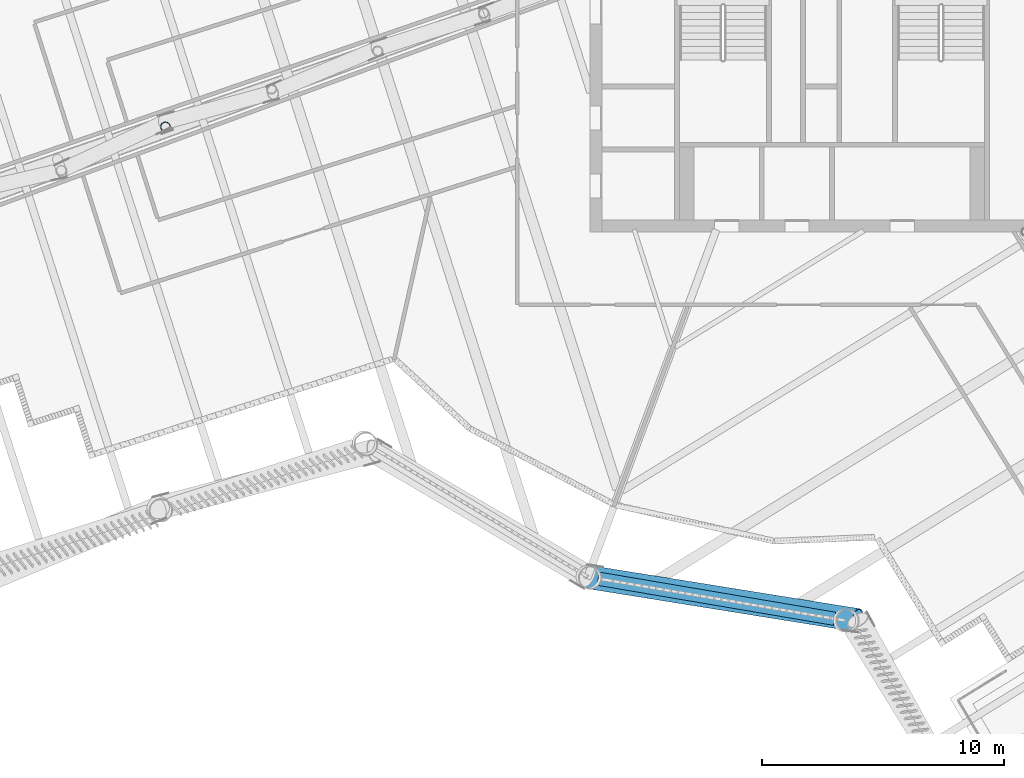
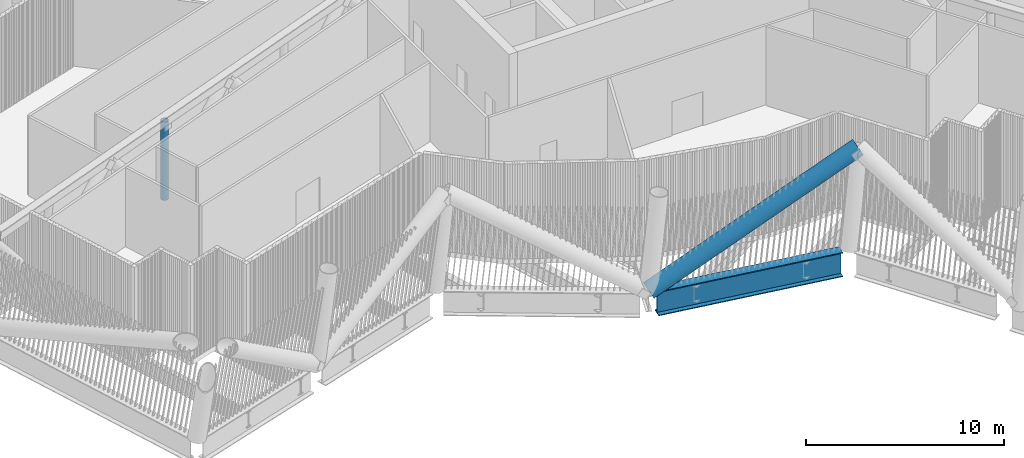
# One storey, part 2 of 40: 2 members, 1 beam.
"""IFC4 building model written with IfcOpenShell, lengths in metres."""

from ifc_helpers import new_model, si_unit, direction, frame, origin, origin_2d, place, context, subcontext, project, spatial, hollow_circle, i_section, extrude, material, material_profile, profile_set, type_object, element, save


model = new_model("IFC4")

# Units and contexts
model_context = context("Model", 3, precision=1e-05, world=origin(), true_north=direction((0.0, 1.0)))
body_context = subcontext(model_context, "Body", "Model", "MODEL_VIEW")
ifc_project = project(units=[si_unit("LENGTHUNIT", "METRE"), si_unit("AREAUNIT", "SQUARE_METRE"), si_unit("VOLUMEUNIT", "CUBIC_METRE"), si_unit("PLANEANGLEUNIT", "RADIAN"), si_unit("MASSUNIT", "GRAM", prefix="KILO")], contexts=[model_context])

# Site, building, storey
site_placement = place(None, origin())
site = spatial("IfcSite", under=ifc_project, at=site_placement, CompositionType="ELEMENT")
building_placement = place(site_placement, origin())
building = spatial("IfcBuilding", under=site, at=building_placement, Name="Tarsis Ring Headquarters", CompositionType="ELEMENT")
storey_placement = place(building_placement, frame((0.0, 0.0, 354.800048828125)))
storey = spatial("IfcBuildingStorey", under=building, at=storey_placement, Name="L84", CompositionType="ELEMENT", Elevation=354.800048828125)

# Members
ifc_material = material(Name="Structural steel S355", Category="steel")
ifc_material_profile_1 = material_profile(ifc_material, hollow_circle(Radius=0.203125, WallThickness=0.01611328125, at=origin_2d()), Name="CHS 406x16")
ifc_profile_set_1 = profile_set([ifc_material_profile_1], Name="Structural steel S355")
member_type_1 = type_object("IfcMemberType", Name="OV Outrigger post CHS 406x16", PredefinedType="STRUT", material=ifc_profile_set_1)
member_1_placement = place(storey_placement, frame((-27.520263671875, -8.661376953125, 0.508056640625), z_axis=(0.0, 0.0, 1.0), x_axis=(1.0, 0.0, 0.0)))
element("IfcMember", 1, at=member_1_placement, inside=storey, type_object=member_type_1, Name="Outrigger post OV1", PredefinedType="STRUT", context=body_context, shape_type="SweptSolid", body=[
    extrude(hollow_circle(Radius=0.203125, WallThickness=0.01611328125, at=origin_2d()), origin(), (0.0, 0.0, 1.0), 4.823974609375),
])
ifc_material_profile_2 = material_profile(ifc_material, hollow_circle(Radius=0.482666015625, WallThickness=0.0400390625, at=origin_2d()), Name="CHS 965x40")
ifc_profile_set_2 = profile_set([ifc_material_profile_2], Name="Structural steel S355")
member_type_2 = type_object("IfcMemberType", Name="TD Belt truss diagonal CHS 965x40", PredefinedType="BRACE", material=ifc_profile_set_2)
member_2_placement = place(storey_placement, frame((-10.08740234375, -27.24072265625, 0.0), z_axis=(0.871880334087, -0.139899584456, 0.469310972918), x_axis=(0.158430761468, 0.987370089592, 0.0)))
element("IfcMember", 2, at=member_2_placement, inside=storey, type_object=member_type_2, Name="Belt truss diagonal TD7", PredefinedType="BRACE", context=body_context, shape_type="SweptSolid", body=[
    extrude(hollow_circle(Radius=0.482666015625, WallThickness=0.0400390625, at=origin_2d()), origin(), (0.0, 0.0, 1.0), 12.78466796875),
])

# Beam
ifc_material_profile_3 = material_profile(ifc_material, i_section(OverallWidth=0.550048828125, OverallDepth=1.5, WebThickness=0.030029296875, FlangeThickness=0.050048828125, at=origin_2d()), Name="PG 1500x550x30x50")
ifc_profile_set_3 = profile_set([ifc_material_profile_3], Name="Structural steel S355")
beam_type = type_object("IfcBeamType", Name="XG Ring girder PG 1500x550x30x50", PredefinedType="BEAM", material=ifc_profile_set_3)
beam_placement = place(storey_placement, frame((-9.6591796875, -27.3134765625, -0.75), z_axis=(0.985893703877, -0.167372652054, 0.0), x_axis=(0.167372652054, 0.985893703877, 0.0)))
element("IfcBeam", 3, at=beam_placement, inside=storey, type_object=beam_type, Name="Ring girder XG6", PredefinedType="BEAM", context=body_context, shape_type="SweptSolid", body=[
    extrude(i_section(OverallWidth=0.550048828125, OverallDepth=1.5, WebThickness=0.030029296875, FlangeThickness=0.050048828125, at=origin_2d()), origin(), (0.0, 0.0, 1.0), 9.90283203125),
])

save(model, "model.ifc")
